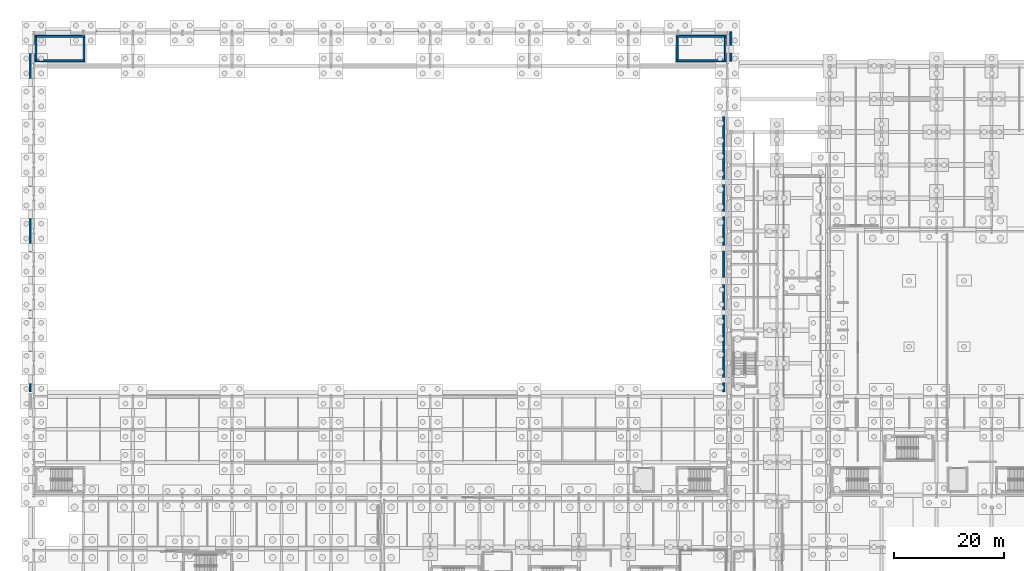
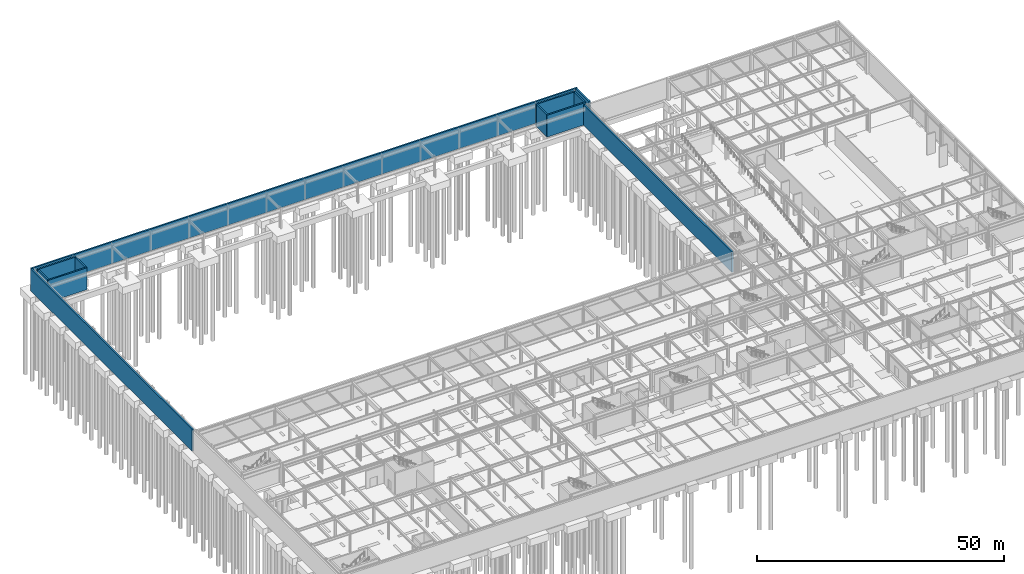
# One storey, part 45 of 65: 12 walls.
"""IFC4 building model written with IfcOpenShell, lengths in metres."""

from ifc_helpers import new_model, si_unit, direction, frame, frame_2d, origin, place, context, subcontext, project, spatial, rectangle, extrude, material, layer, layer_set, type_object, element, save


model = new_model("IFC4")

# Units and contexts
model_context = context("Model", 3, precision=1e-05, world=origin(), true_north=direction((0.0, 1.0)))
body_context = subcontext(model_context, "Body", "Model", "MODEL_VIEW")
ifc_project = project(units=[si_unit("LENGTHUNIT", "METRE"), si_unit("AREAUNIT", "SQUARE_METRE"), si_unit("VOLUMEUNIT", "CUBIC_METRE"), si_unit("PLANEANGLEUNIT", "RADIAN"), si_unit("MASSUNIT", "GRAM", prefix="KILO")], contexts=[model_context])

# Site, building, storey
site_placement = place(None, origin())
site = spatial("IfcSite", under=ifc_project, at=site_placement, CompositionType="ELEMENT")
building_placement = place(site_placement, origin())
building = spatial("IfcBuilding", under=site, at=building_placement, Name="Kaldris Quays Convention Centre", CompositionType="ELEMENT")
storey_placement = place(building_placement, frame((0.0, 0.0, -5.39990234375)))
storey = spatial("IfcBuildingStorey", under=building, at=storey_placement, Name="B1", CompositionType="ELEMENT", Elevation=-5.39990234375)

# Walls
ifc_material_1 = material(Name="Concrete C35/45", Category="concrete")
ifc_layer_1 = layer(ifc_material_1, 0.360107421875)
ifc_layer_set_1 = layer_set([ifc_layer_1], Name="Concrete C35/45")
wall_type_1 = type_object("IfcWallType", Name="STRUCTURAL WALL RW01", PredefinedType="SOLIDWALL", material=ifc_layer_set_1)
wall_1_placement = place(storey_placement, frame((145.35009765625, 74.822021484375, 0.0), z_axis=(0.0, 0.0, 1.0), x_axis=(0.0, 1.0, 0.0)))
element("IfcWall", 1, at=wall_1_placement, inside=storey, type_object=wall_type_1, Name="B1 Perimeter Retaining Wall RW01 3", PredefinedType="SOLIDWALL", context=body_context, shape_type="SweptSolid", body=[
    extrude(rectangle(XDim=59.98291015625, YDim=0.360107421875, at=frame_2d((29.991455078125, 0.0))), origin(), (0.0, 0.0, 1.0), 5.0478515625),
])
wall_2_placement = place(storey_placement, frame((19.35009765625, 140.35009765625, 0.0), z_axis=(0.0, 0.0, 1.0), x_axis=(1.0, 0.0, 0.0)))
element("IfcWall", 2, at=wall_2_placement, inside=storey, type_object=wall_type_1, Name="B1 V1 Perimeter Plinth Frost Wall RW01 1", PredefinedType="SOLIDWALL", context=body_context, shape_type="SweptSolid", body=[
    extrude(rectangle(XDim=127.494873046875, YDim=0.360107421875, at=frame_2d((63.74755859375, 0.0))), origin(), (0.0, 0.0, 1.0), 5.3798828125),
])
wall_3_placement = place(storey_placement, frame((19.35009765625, 74.827880859375, 0.0), z_axis=(0.0, 0.0, 1.0), x_axis=(0.0, 1.0, 0.0)))
element("IfcWall", 3, at=wall_3_placement, inside=storey, type_object=wall_type_1, Name="B1 V1 Perimeter Plinth Frost Wall RW01 2", PredefinedType="SOLIDWALL", context=body_context, shape_type="SweptSolid", body=[
    extrude(rectangle(XDim=65.35009765625, YDim=0.360107421875, at=frame_2d((32.675048828125, 0.0))), origin(), (0.0, 0.0, 1.0), 5.3798828125),
])
wall_4_placement = place(storey_placement, frame((146.64990234375, 134.827880859375, 0.0), z_axis=(0.0, 0.0, 1.0), x_axis=(0.0, 1.0, 0.0)))
element("IfcWall", 4, at=wall_4_placement, inside=storey, type_object=wall_type_1, Name="B1 V1 Perimeter Plinth Frost Wall RW01 3", PredefinedType="SOLIDWALL", context=body_context, shape_type="SweptSolid", body=[
    extrude(rectangle(XDim=5.35009765625, YDim=0.360107421875, at=frame_2d((2.675048828125, 0.0))), origin(), (0.0, 0.0, 1.0), 5.3798828125),
])
ifc_material_2 = material(Name="Concrete C40/50", Category="concrete")
ifc_layer_2 = layer(ifc_material_2, 0.35009765625)
ifc_layer_set_2 = layer_set([ifc_layer_2], Name="Concrete C40/50")
wall_type_2 = type_object("IfcWallType", Name="STRUCTURAL WALL SW01", PredefinedType="SHEAR", material=ifc_layer_set_2)
for number, where, z_axis, x_axis, name in (
    (5, (20.199951171875, 134.97509765625, 0.0), (0.0, 0.0, 1.0), (1.0, 0.0, 0.0), "B1 Core Shear Wall CORE-ST03-B1-S"),
    (6, (20.199951171875, 139.375, 0.0), (0.0, 0.0, 1.0), (1.0, 0.0, 0.0), "B1 Core Shear Wall CORE-ST03-B1-N"),
):
    element("IfcWall", number, at=place(storey_placement, frame(where, z_axis=z_axis, x_axis=x_axis)), inside=storey, type_object=wall_type_2, Name=name, PredefinedType="SHEAR", context=body_context, shape_type="SweptSolid", body=[
        extrude(rectangle(XDim=9.10009765625, YDim=0.35009765625, at=frame_2d((4.550048828125, 0.0))), origin(), (0.0, 0.0, 1.0), 5.39990234375),
    ])
for number, where, z_axis, x_axis, name in (
    (7, (20.375, 135.14990234375, 0.0), (0.0, 0.0, 1.0), (0.0, 1.0, 0.0), "B1 Core Shear Wall CORE-ST03-B1-W"),
    (8, (29.125, 135.14990234375, 0.0), (0.0, 0.0, 1.0), (0.0, 1.0, 0.0), "B1 Core Shear Wall CORE-ST03-B1-E"),
):
    element("IfcWall", number, at=place(storey_placement, frame(where, z_axis=z_axis, x_axis=x_axis)), inside=storey, type_object=wall_type_2, Name=name, PredefinedType="SHEAR", context=body_context, shape_type="SweptSolid", body=[
        extrude(rectangle(XDim=4.050048828125, YDim=0.35009765625, at=frame_2d((2.02490234375, 0.0))), origin(), (0.0, 0.0, 1.0), 5.39990234375),
    ])
for number, where, z_axis, x_axis, name in (
    (9, (136.699951171875, 134.97509765625, 0.0), (0.0, 0.0, 1.0), (1.0, 0.0, 0.0), "B1 Core Shear Wall CORE-ST04-B1-S"),
    (10, (136.699951171875, 139.375, 0.0), (0.0, 0.0, 1.0), (1.0, 0.0, 0.0), "B1 Core Shear Wall CORE-ST04-B1-N"),
):
    element("IfcWall", number, at=place(storey_placement, frame(where, z_axis=z_axis, x_axis=x_axis)), inside=storey, type_object=wall_type_2, Name=name, PredefinedType="SHEAR", context=body_context, shape_type="SweptSolid", body=[
        extrude(rectangle(XDim=9.10009765625, YDim=0.35009765625, at=frame_2d((4.550048828125, 0.0))), origin(), (0.0, 0.0, 1.0), 5.39990234375),
    ])
for number, where, z_axis, x_axis, name in (
    (11, (136.875, 135.14990234375, 0.0), (0.0, 0.0, 1.0), (0.0, 1.0, 0.0), "B1 Core Shear Wall CORE-ST04-B1-W"),
    (12, (145.625, 135.14990234375, 0.0), (0.0, 0.0, 1.0), (0.0, 1.0, 0.0), "B1 Core Shear Wall CORE-ST04-B1-E"),
):
    element("IfcWall", number, at=place(storey_placement, frame(where, z_axis=z_axis, x_axis=x_axis)), inside=storey, type_object=wall_type_2, Name=name, PredefinedType="SHEAR", context=body_context, shape_type="SweptSolid", body=[
        extrude(rectangle(XDim=4.050048828125, YDim=0.35009765625, at=frame_2d((2.02490234375, 0.0))), origin(), (0.0, 0.0, 1.0), 5.39990234375),
    ])

save(model, "model.ifc")
